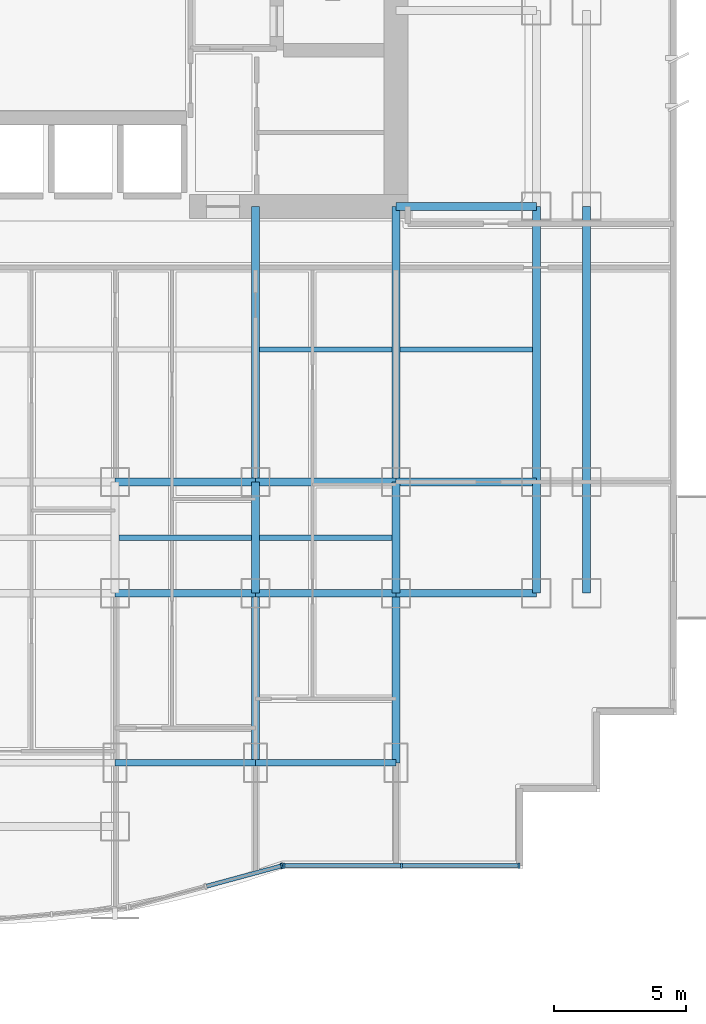
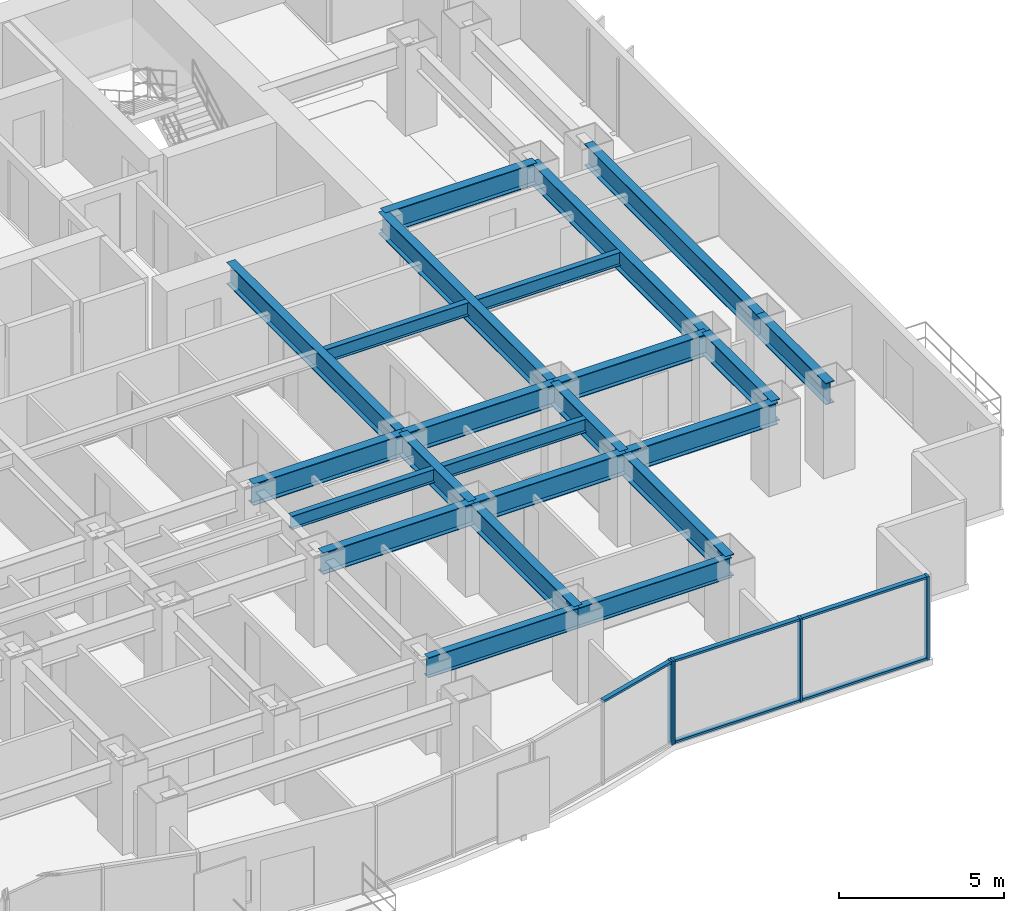
# One storey, part 3 of 10: 23 beams, 9 members, 2 elements without a shape of their own.
"""IFC4 building model written with IfcOpenShell, lengths in metres."""

import ifcopenshell
import ifcopenshell.guid

model = None  # the IFC model being written
_history = None  # IfcOwnerHistory: only IFC2X3 demands one
_inside = {}  # id of a spatial element -> (the spatial element, [elements in it])
_under = {}  # id of a project, library or spatial element -> (it, [spatial elements below it])
_declared = {}  # id of a project -> (the project, [libraries it declares])
_typed = {}  # id of a type object -> (the type object, [elements of that type])
_made_of = {}  # id of a material, layer set ... -> (it, [elements and type objects made of it])


def new_model(schema):
    """Start an empty IFC model of exactly this schema.

    Asked for "IFC4X3", IfcOpenShell would pick the latest addendum, in which some entities
    have other attributes; the version numbers below select the first issue.
    IFC2X3 requires an IfcOwnerHistory on every rooted entity: one is made here for all.
    """
    global model, _history
    if schema == "IFC4X3":
        model = ifcopenshell.file(schema_version=(4, 3, 0, 0))
    else:
        model = ifcopenshell.file(schema=schema)
    _inside.clear()
    _under.clear()
    _declared.clear()
    _typed.clear()
    _made_of.clear()
    _history = None
    if model.schema == "IFC2X3":
        org = make("IfcOrganization", Name="unknown")
        user = make(
            "IfcPersonAndOrganization",
            ThePerson=make("IfcPerson", FamilyName="unknown"),
            TheOrganization=org,
        )
        app = make(
            "IfcApplication",
            ApplicationDeveloper=org,
            Version="unknown",
            ApplicationFullName="unknown",
            ApplicationIdentifier="unknown",
        )
        _history = make(
            "IfcOwnerHistory",
            OwningUser=user,
            OwningApplication=app,
            ChangeAction="ADDED",
            CreationDate=0,
        )
    return model


def make(cls, **values):
    """One entity of the class cls with the attributes given. An attribute that is None is left unset."""
    return model.create_entity(
        cls, **{name: value for name, value in values.items() if value is not None}
    )


def rooted(cls, **values):
    """An entity with a GlobalId (a new one), such as an element, a storey or a relation."""
    return make(cls, GlobalId=ifcopenshell.guid.new(), OwnerHistory=_history, **values)


def si_unit(unit_type, name, prefix=None):
    """IfcSIUnit, for example si_unit("LENGTHUNIT", "METRE", prefix="MILLI")."""
    return make("IfcSIUnit", UnitType=unit_type, Prefix=prefix, Name=name)


def assignment(units):
    """IfcUnitAssignment: the units of a project."""
    return None if units is None else make("IfcUnitAssignment", Units=units)


def point(xyz):
    """IfcCartesianPoint."""
    return None if xyz is None else make("IfcCartesianPoint", Coordinates=xyz)


def direction(xyz):
    """IfcDirection."""
    return None if xyz is None else make("IfcDirection", DirectionRatios=xyz)


def frame(location, z_axis=None, x_axis=None):
    """IfcAxis2Placement3D, a coordinate frame: its origin and axes. An axis left out is left unset."""
    return make(
        "IfcAxis2Placement3D",
        Location=point(location),
        Axis=direction(z_axis),
        RefDirection=direction(x_axis),
    )


def frame_2d(location, x_axis=None):
    """IfcAxis2Placement2D, a coordinate frame in the plane: its origin and x axis."""
    return make(
        "IfcAxis2Placement2D", Location=point(location), RefDirection=direction(x_axis)
    )


def origin():
    """The frame at (0, 0, 0) with its axes left unset."""
    return frame((0.0, 0.0, 0.0))


def origin_2d():
    """The frame at (0, 0) in the plane with its x axis left unset."""
    return frame_2d((0.0, 0.0))


def place(relative_to, where):
    """IfcLocalPlacement: puts the frame where relative to a parent placement (None: the world)."""
    return make(
        "IfcLocalPlacement", PlacementRelTo=relative_to, RelativePlacement=where
    )


def context(
    kind, dimensions, precision=None, world=None, true_north=None, identifier=None
):
    """IfcGeometricRepresentationContext, for example the 3D "Model" context."""
    return make(
        "IfcGeometricRepresentationContext",
        ContextIdentifier=identifier,
        ContextType=kind,
        CoordinateSpaceDimension=dimensions,
        Precision=precision,
        WorldCoordinateSystem=world,
        TrueNorth=true_north,
    )


def subcontext(parent, identifier, kind, view, scale=None):
    """IfcGeometricRepresentationSubContext, for example "Body" below "Model"."""
    return make(
        "IfcGeometricRepresentationSubContext",
        ContextIdentifier=identifier,
        ContextType=kind,
        ParentContext=parent,
        TargetScale=scale,
        TargetView=view,
    )


def project(units=None, contexts=None):
    """IfcProject with its units and contexts."""
    return rooted(
        "IfcProject",
        Name="project",
        RepresentationContexts=contexts,
        UnitsInContext=assignment(units),
    )


def spatial(cls, under=None, at=None, **own):
    """A site, building, storey or space (cls), placed at a placement, below another one or the project."""
    s = rooted(cls, ObjectPlacement=at, **own)
    if under is not None:
        _under.setdefault(under.id(), (under, []))[1].append(s)
    return s


def profile(cls, at=None, kind="AREA", **sizes):
    """A parametric profile (cls). Its sizes go by their IFC names, for example OverallWidth=200.0."""
    return make(cls, ProfileType=kind, Position=at, **sizes)


def rectangle(**sizes):
    """IfcRectangleProfileDef."""
    return profile("IfcRectangleProfileDef", **sizes)


def i_section(**sizes):
    """IfcIShapeProfileDef."""
    return profile("IfcIShapeProfileDef", **sizes)


def extrude(swept, where, along, depth):
    """IfcExtrudedAreaSolid: the profile swept, set in the frame where, extruded along a direction by depth."""
    return make(
        "IfcExtrudedAreaSolid",
        SweptArea=swept,
        Position=where,
        ExtrudedDirection=direction(along),
        Depth=depth,
    )


def shape(context_of_items, identifier, shape_type, items):
    """IfcShapeRepresentation: the items that make up one representation, for example the "Body"."""
    return make(
        "IfcShapeRepresentation",
        ContextOfItems=context_of_items,
        RepresentationIdentifier=identifier,
        RepresentationType=shape_type,
        Items=items,
    )


def source(mapping_origin, context_of_items, identifier, shape_type, items):
    """IfcRepresentationMap: a shape defined once, which mapped items show again and again."""
    return make(
        "IfcRepresentationMap",
        MappingOrigin=mapping_origin,
        MappedRepresentation=shape(context_of_items, identifier, shape_type, items),
    )


def transform(
    local_origin,
    x_axis=None,
    y_axis=None,
    z_axis=None,
    scale=None,
    scale2=None,
    scale3=None,
    uniform=True,
):
    """IfcCartesianTransformationOperator3D, or its non-uniform kind. x_axis, y_axis, z_axis: its Axis1, 2, 3."""
    if uniform:
        return make(
            "IfcCartesianTransformationOperator3D",
            Axis1=direction(x_axis),
            Axis2=direction(y_axis),
            LocalOrigin=point(local_origin),
            Scale=scale,
            Axis3=direction(z_axis),
        )
    return make(
        "IfcCartesianTransformationOperator3DnonUniform",
        Axis1=direction(x_axis),
        Axis2=direction(y_axis),
        LocalOrigin=point(local_origin),
        Scale=scale,
        Axis3=direction(z_axis),
        Scale2=scale2,
        Scale3=scale3,
    )


def mapped(mapping_source, mapping_target):
    """IfcMappedItem: shows the shape of a source again, moved by a transform."""
    return make(
        "IfcMappedItem", MappingSource=mapping_source, MappingTarget=mapping_target
    )


def material(Name=None, Category=None):
    """IfcMaterial."""
    return make("IfcMaterial", Name=Name, Category=Category)


def layer(
    of_material, thickness, ventilated=None, Name=None, Category=None, Priority=None
):
    """IfcMaterialLayer: one layer of a wall or slab, of a material (None: an air gap)."""
    return make(
        "IfcMaterialLayer",
        Material=of_material,
        LayerThickness=thickness,
        IsVentilated=ventilated,
        Name=Name,
        Category=Category,
        Priority=Priority,
    )


def layer_set(layers, Name=None):
    """IfcMaterialLayerSet."""
    return make("IfcMaterialLayerSet", MaterialLayers=layers, LayerSetName=Name)


def material_profile(
    of_material, cross_section, Name=None, Category=None, Priority=None
):
    """IfcMaterialProfile: a cross section and its material."""
    return make(
        "IfcMaterialProfile",
        Name=Name,
        Material=of_material,
        Profile=cross_section,
        Priority=Priority,
        Category=Category,
    )


def profile_set(profiles, Name=None, composite=None):
    """IfcMaterialProfileSet."""
    return make(
        "IfcMaterialProfileSet",
        Name=Name,
        MaterialProfiles=profiles,
        CompositeProfile=composite,
    )


def made_of(thing, what):
    """Note that an element or type object is made of a material, layer set ...; save() writes the relation."""
    if what is not None:
        _made_of.setdefault(what.id(), (what, []))[1].append(thing)
    return thing


def type_object(cls, material=None, **own):
    """A type object (cls), such as IfcWallType, which elements share."""
    return made_of(rooted(cls, **own), material)


def element(
    cls,
    number,
    at=None,
    inside=None,
    cuts=None,
    type_object=None,
    material=None,
    context=None,
    identifier="Body",
    shape_type=None,
    held_by="IfcProductDefinitionShape",
    body=None,
    shapes=None,
    **own,
):
    """One element of the class cls, such as IfcWall. Its Tag is "e" and its number.

    at: its placement. inside: the storey or other place that contains it. cuts: it is an
    opening in that element (IfcRelVoidsElement). A single representation is given by context,
    identifier, shape_type and body (its items); several are given by shapes. held_by: the class
    of the entity that holds the representations. save() writes the other relations.
    """
    e = rooted(cls, Tag="e%d" % number, ObjectPlacement=at, **own)
    if body is not None:
        shapes = [shape(context, identifier, shape_type, body)]
    if shapes is not None:
        e.Representation = make(held_by, Representations=shapes)
    if inside is not None:
        _inside.setdefault(inside.id(), (inside, []))[1].append(e)
    if cuts is not None:
        rooted(
            "IfcRelVoidsElement", RelatingBuildingElement=cuts, RelatedOpeningElement=e
        )
    if type_object is not None:
        _typed.setdefault(type_object.id(), (type_object, []))[1].append(e)
    return made_of(e, material)


def aggregate(whole, parts):
    """IfcRelAggregates: a whole, such as a stair, and the parts it consists of."""
    return rooted("IfcRelAggregates", RelatingObject=whole, RelatedObjects=parts)


def save(model, path):
    """Write the relations noted so far, then the file.

    IfcRelAggregates (storeys below a building ...), IfcRelContainedInSpatialStructure (elements
    in a storey), IfcRelDefinesByType, IfcRelAssociatesMaterial and IfcRelDeclares: one each for
    every whole, place, type object, material and project.
    """
    for whole, parts in _under.values():
        aggregate(whole, parts)
    for where, things in _inside.values():
        rooted(
            "IfcRelContainedInSpatialStructure",
            RelatedElements=things,
            RelatingStructure=where,
        )
    for kind, things in _typed.values():
        rooted("IfcRelDefinesByType", RelatedObjects=things, RelatingType=kind)
    for what, things in _made_of.values():
        rooted("IfcRelAssociatesMaterial", RelatedObjects=things, RelatingMaterial=what)
    for by, libraries in _declared.values():
        rooted("IfcRelDeclares", RelatingContext=by, RelatedDefinitions=libraries)
    model.write(path)


model = new_model("IFC4")

# Units and contexts
model_context = context("Model", 3, precision=1e-05, world=origin(), true_north=direction((0.0, 1.0)))
body_context = subcontext(model_context, "Body", "Model", "MODEL_VIEW")
ifc_project = project(units=[si_unit("LENGTHUNIT", "METRE"), si_unit("AREAUNIT", "SQUARE_METRE"), si_unit("VOLUMEUNIT", "CUBIC_METRE"), si_unit("PLANEANGLEUNIT", "RADIAN"), si_unit("MASSUNIT", "GRAM", prefix="KILO")], contexts=[model_context])

# Site, building, storey
site_placement = place(None, origin())
site = spatial("IfcSite", under=ifc_project, at=site_placement, CompositionType="ELEMENT")
building_placement = place(site_placement, origin())
building = spatial("IfcBuilding", under=site, at=building_placement, Name="Qianlan Lanfeng Residences", CompositionType="ELEMENT")
storey_placement = place(building_placement, frame((0.0, 0.0, 53.89990234375)))
storey = spatial("IfcBuildingStorey", under=building, at=storey_placement, Name="L14", CompositionType="ELEMENT", Elevation=53.89990234375)

# Beams
ifc_material_1 = material(Name="Steel SN490B", Category="steel")
ifc_material_profile_1 = material_profile(ifc_material_1, i_section(OverallWidth=0.300048828125, OverallDepth=0.800048828125, WebThickness=0.01611328125, FlangeThickness=0.028076171875, at=origin_2d()), Name="H 800x300x16x28")
ifc_profile_set_1 = profile_set([ifc_material_profile_1], Name="Steel SN490B")
beam_type_1 = type_object("IfcBeamType", Name="G-950", PredefinedType="BEAM", material=ifc_profile_set_1)
beam_1_placement = place(storey_placement, frame((31.800048828125, 10.60009765625, 2.68017578125), z_axis=(1.0, 0.0, 0.0), x_axis=(0.0, 1.0, 0.0)))
element("IfcBeam", 1, at=beam_1_placement, inside=storey, type_object=beam_type_1, Name="Structural beam G-950", PredefinedType="BEAM", context=body_context, shape_type="SweptSolid", body=[
    extrude(i_section(OverallWidth=0.300048828125, OverallDepth=0.800048828125, WebThickness=0.01611328125, FlangeThickness=0.028076171875, at=origin_2d()), origin(), (0.0, 0.0, 1.0), 5.300048828125),
])
beam_2_placement = place(storey_placement, frame((37.10009765625, 10.60009765625, 2.68017578125), z_axis=(1.0, 0.0, 0.0), x_axis=(0.0, 1.0, 0.0)))
element("IfcBeam", 2, at=beam_2_placement, inside=storey, type_object=beam_type_1, Name="Structural beam G-950", PredefinedType="BEAM", context=body_context, shape_type="SweptSolid", body=[
    extrude(i_section(OverallWidth=0.300048828125, OverallDepth=0.800048828125, WebThickness=0.01611328125, FlangeThickness=0.028076171875, at=origin_2d()), origin(), (0.0, 0.0, 1.0), 5.2998046875),
])
for number, where, z_axis, x_axis, name in (
    (3, (42.39990234375, 10.60009765625, 2.68017578125), (1.0, 0.0, 0.0), (0.0, 1.0, 0.0), "Structural beam G-950"),
    (4, (31.800048828125, 14.800048828125, 2.68017578125), (1.0, 0.0, 0.0), (0.0, 1.0, 0.0), "Structural beam G-950"),
):
    element("IfcBeam", number, at=place(storey_placement, frame(where, z_axis=z_axis, x_axis=x_axis)), inside=storey, type_object=beam_type_1, Name=name, PredefinedType="BEAM", context=body_context, shape_type="SweptSolid", body=[
        extrude(i_section(OverallWidth=0.300048828125, OverallDepth=0.800048828125, WebThickness=0.01611328125, FlangeThickness=0.028076171875, at=origin_2d()), origin(), (0.0, 0.0, 1.0), 5.300048828125),
    ])
beam_3_placement = place(storey_placement, frame((37.10009765625, 14.800048828125, 2.68017578125), z_axis=(1.0, 0.0, 0.0), x_axis=(0.0, 1.0, 0.0)))
element("IfcBeam", 5, at=beam_3_placement, inside=storey, type_object=beam_type_1, Name="Structural beam G-950", PredefinedType="BEAM", context=body_context, shape_type="SweptSolid", body=[
    extrude(i_section(OverallWidth=0.300048828125, OverallDepth=0.800048828125, WebThickness=0.01611328125, FlangeThickness=0.028076171875, at=origin_2d()), origin(), (0.0, 0.0, 1.0), 5.2998046875),
])
for number, where, z_axis, x_axis, name in (
    (6, (42.39990234375, 14.800048828125, 2.68017578125), (1.0, 0.0, 0.0), (0.0, 1.0, 0.0), "Structural beam G-950"),
    (7, (42.39990234375, 25.199951171875, 2.68017578125), (1.0, 0.0, 0.0), (0.0, 1.0, 0.0), "Structural beam G-950"),
):
    element("IfcBeam", number, at=place(storey_placement, frame(where, z_axis=z_axis, x_axis=x_axis)), inside=storey, type_object=beam_type_1, Name=name, PredefinedType="BEAM", context=body_context, shape_type="SweptSolid", body=[
        extrude(i_section(OverallWidth=0.300048828125, OverallDepth=0.800048828125, WebThickness=0.01611328125, FlangeThickness=0.028076171875, at=origin_2d()), origin(), (0.0, 0.0, 1.0), 5.300048828125),
    ])
beam_4_placement = place(storey_placement, frame((37.10009765625, 4.199951171875, 2.68017578125), z_axis=(0.0, 1.0, 0.0), x_axis=(-1.0, 0.0, 0.0)))
element("IfcBeam", 8, at=beam_4_placement, inside=storey, type_object=beam_type_1, Name="Structural beam G-950", PredefinedType="BEAM", context=body_context, shape_type="SweptSolid", body=[
    extrude(i_section(OverallWidth=0.300048828125, OverallDepth=0.800048828125, WebThickness=0.01611328125, FlangeThickness=0.028076171875, at=origin_2d()), origin(), (0.0, 0.0, 1.0), 6.400146484375),
])
beam_5_placement = place(storey_placement, frame((37.10009765625, 10.60009765625, 2.68017578125), z_axis=(0.0, 1.0, 0.0), x_axis=(-1.0, 0.0, 0.0)))
element("IfcBeam", 9, at=beam_5_placement, inside=storey, type_object=beam_type_1, Name="Structural beam G-950", PredefinedType="BEAM", context=body_context, shape_type="SweptSolid", body=[
    extrude(i_section(OverallWidth=0.300048828125, OverallDepth=0.800048828125, WebThickness=0.01611328125, FlangeThickness=0.028076171875, at=origin_2d()), origin(), (0.0, 0.0, 1.0), 4.199951171875),
])
beam_6_placement = place(storey_placement, frame((37.10009765625, 14.800048828125, 2.68017578125), z_axis=(0.0, 1.0, 0.0), x_axis=(-1.0, 0.0, 0.0)))
element("IfcBeam", 10, at=beam_6_placement, inside=storey, type_object=beam_type_1, Name="Structural beam G-950", PredefinedType="BEAM", context=body_context, shape_type="SweptSolid", body=[
    extrude(i_section(OverallWidth=0.300048828125, OverallDepth=0.800048828125, WebThickness=0.01611328125, FlangeThickness=0.028076171875, at=origin_2d()), origin(), (0.0, 0.0, 1.0), 10.39990234375),
])
beam_7_placement = place(storey_placement, frame((42.39990234375, 4.199951171875, 2.68017578125), z_axis=(0.0, 1.0, 0.0), x_axis=(-1.0, 0.0, 0.0)))
element("IfcBeam", 11, at=beam_7_placement, inside=storey, type_object=beam_type_1, Name="Structural beam G-950", PredefinedType="BEAM", context=body_context, shape_type="SweptSolid", body=[
    extrude(i_section(OverallWidth=0.300048828125, OverallDepth=0.800048828125, WebThickness=0.01611328125, FlangeThickness=0.028076171875, at=origin_2d()), origin(), (0.0, 0.0, 1.0), 6.400146484375),
])
beam_8_placement = place(storey_placement, frame((42.39990234375, 10.60009765625, 2.68017578125), z_axis=(0.0, 1.0, 0.0), x_axis=(-1.0, 0.0, 0.0)))
element("IfcBeam", 12, at=beam_8_placement, inside=storey, type_object=beam_type_1, Name="Structural beam G-950", PredefinedType="BEAM", context=body_context, shape_type="SweptSolid", body=[
    extrude(i_section(OverallWidth=0.300048828125, OverallDepth=0.800048828125, WebThickness=0.01611328125, FlangeThickness=0.028076171875, at=origin_2d()), origin(), (0.0, 0.0, 1.0), 4.199951171875),
])
beam_9_placement = place(storey_placement, frame((42.39990234375, 14.800048828125, 2.68017578125), z_axis=(0.0, 1.0, 0.0), x_axis=(-1.0, 0.0, 0.0)))
element("IfcBeam", 13, at=beam_9_placement, inside=storey, type_object=beam_type_1, Name="Structural beam G-950", PredefinedType="BEAM", context=body_context, shape_type="SweptSolid", body=[
    extrude(i_section(OverallWidth=0.300048828125, OverallDepth=0.800048828125, WebThickness=0.01611328125, FlangeThickness=0.028076171875, at=origin_2d()), origin(), (0.0, 0.0, 1.0), 10.39990234375),
])
beam_10_placement = place(storey_placement, frame((47.699951171875, 10.60009765625, 2.68017578125), z_axis=(0.0, 1.0, 0.0), x_axis=(-1.0, 0.0, 0.0)))
element("IfcBeam", 14, at=beam_10_placement, inside=storey, type_object=beam_type_1, Name="Structural beam G-950", PredefinedType="BEAM", context=body_context, shape_type="SweptSolid", body=[
    extrude(i_section(OverallWidth=0.300048828125, OverallDepth=0.800048828125, WebThickness=0.01611328125, FlangeThickness=0.028076171875, at=origin_2d()), origin(), (0.0, 0.0, 1.0), 4.199951171875),
])
beam_11_placement = place(storey_placement, frame((47.699951171875, 14.800048828125, 2.68017578125), z_axis=(0.0, 1.0, 0.0), x_axis=(-1.0, 0.0, 0.0)))
element("IfcBeam", 15, at=beam_11_placement, inside=storey, type_object=beam_type_1, Name="Structural beam G-950", PredefinedType="BEAM", context=body_context, shape_type="SweptSolid", body=[
    extrude(i_section(OverallWidth=0.300048828125, OverallDepth=0.800048828125, WebThickness=0.01611328125, FlangeThickness=0.028076171875, at=origin_2d()), origin(), (0.0, 0.0, 1.0), 10.39990234375),
])
beam_12_placement = place(storey_placement, frame((49.60009765625, 10.60009765625, 2.68017578125), z_axis=(0.0, 1.0, 0.0), x_axis=(-1.0, 0.0, 0.0)))
element("IfcBeam", 16, at=beam_12_placement, inside=storey, type_object=beam_type_1, Name="Structural beam G-950", PredefinedType="BEAM", context=body_context, shape_type="SweptSolid", body=[
    extrude(i_section(OverallWidth=0.300048828125, OverallDepth=0.800048828125, WebThickness=0.01611328125, FlangeThickness=0.028076171875, at=origin_2d()), origin(), (0.0, 0.0, 1.0), 4.199951171875),
])
beam_13_placement = place(storey_placement, frame((49.60009765625, 14.800048828125, 2.68017578125), z_axis=(0.0, 1.0, 0.0), x_axis=(-1.0, 0.0, 0.0)))
element("IfcBeam", 17, at=beam_13_placement, inside=storey, type_object=beam_type_1, Name="Structural beam G-950", PredefinedType="BEAM", context=body_context, shape_type="SweptSolid", body=[
    extrude(i_section(OverallWidth=0.300048828125, OverallDepth=0.800048828125, WebThickness=0.01611328125, FlangeThickness=0.028076171875, at=origin_2d()), origin(), (0.0, 0.0, 1.0), 10.39990234375),
])
ifc_material_profile_2 = material_profile(ifc_material_1, i_section(OverallWidth=0.199951171875, OverallDepth=0.5, WebThickness=0.010009765625, FlangeThickness=0.01611328125, at=origin_2d()), Name="H 500x200x10x16")
ifc_profile_set_2 = profile_set([ifc_material_profile_2], Name="Steel SN490B")
beam_type_2 = type_object("IfcBeamType", Name="J-500", PredefinedType="JOIST", material=ifc_profile_set_2)
for number, where, z_axis, x_axis, name in (
    (18, (31.949951171875, 12.699951171875, 2.830078125), (1.0, 0.0, 0.0), (0.0, 1.0, 0.0), "Structural beam J-500"),
    (19, (37.25, 12.699951171875, 2.830078125), (1.0, 0.0, 0.0), (0.0, 1.0, 0.0), "Structural beam J-500"),
    (20, (37.25, 19.800048828125, 2.830078125), (1.0, 0.0, 0.0), (0.0, 1.0, 0.0), "Structural beam J-500"),
    (21, (42.550048828125, 19.800048828125, 2.830078125), (1.0, 0.0, 0.0), (0.0, 1.0, 0.0), "Structural beam J-500"),
):
    element("IfcBeam", number, at=place(storey_placement, frame(where, z_axis=z_axis, x_axis=x_axis)), inside=storey, type_object=beam_type_2, Name=name, PredefinedType="JOIST", context=body_context, shape_type="SweptSolid", body=[
        extrude(i_section(OverallWidth=0.199951171875, OverallDepth=0.5, WebThickness=0.010009765625, FlangeThickness=0.01611328125, at=origin_2d()), origin(), (0.0, 0.0, 1.0), 5.0),
    ])
ifc_material_profile_3 = material_profile(ifc_material_1, i_section(OverallWidth=0.25, OverallDepth=0.75, WebThickness=0.013916015625, FlangeThickness=0.02490234375, at=origin_2d()), Name="H 750x250x14x25")
ifc_profile_set_3 = profile_set([ifc_material_profile_3], Name="Steel SN490B")
beam_type_3 = type_object("IfcBeamType", Name="SG-850", PredefinedType="SPANDREL", material=ifc_profile_set_3)
beam_14_placement = place(storey_placement, frame((31.800048828125, 4.199951171875, 2.705078125), z_axis=(1.0, 0.0, 0.0), x_axis=(0.0, 1.0, 0.0)))
element("IfcBeam", 22, at=beam_14_placement, inside=storey, type_object=beam_type_3, Name="Structural beam SG-850", PredefinedType="SPANDREL", context=body_context, shape_type="SweptSolid", body=[
    extrude(i_section(OverallWidth=0.25, OverallDepth=0.75, WebThickness=0.013916015625, FlangeThickness=0.02490234375, at=origin_2d()), origin(), (0.0, 0.0, 1.0), 5.300048828125),
])
beam_15_placement = place(storey_placement, frame((37.10009765625, 4.199951171875, 2.705078125), z_axis=(1.0, 0.0, 0.0), x_axis=(0.0, 1.0, 0.0)))
element("IfcBeam", 23, at=beam_15_placement, inside=storey, type_object=beam_type_3, Name="Structural beam SG-850", PredefinedType="SPANDREL", context=body_context, shape_type="SweptSolid", body=[
    extrude(i_section(OverallWidth=0.25, OverallDepth=0.75, WebThickness=0.013916015625, FlangeThickness=0.02490234375, at=origin_2d()), origin(), (0.0, 0.0, 1.0), 5.2998046875),
])

# Curtain wall, member
ifc_material_2 = material(Name="Anodised Bronze Aluminium 6063-T6", Category="aluminium")
ifc_layer = layer(ifc_material_2, 0.219970703125)
ifc_layer_set = layer_set([ifc_layer], Name="Anodised Bronze Aluminium 6063-T6")
curtain_wall_type = type_object("IfcCurtainWallType", Name="CW-02", PredefinedType="NOTDEFINED", material=ifc_layer_set)
curtain_wall_1_placement = place(storey_placement, origin())
curtain_wall_1 = element("IfcCurtainWall", 24, at=curtain_wall_1_placement, inside=storey, type_object=curtain_wall_type, Name="L14 Unitised Curtain Wall CWR-L14-04 (CW-02)", PredefinedType="NOTDEFINED")
ifc_material_profile_4 = material_profile(ifc_material_2, rectangle(XDim=0.080078125, YDim=0.2099609375, at=origin_2d()), Name="ALU MULLION 80x210")
ifc_profile_set_4 = profile_set([ifc_material_profile_4], Name="Anodised Bronze Aluminium 6063-T6")
member_type_1 = type_object("IfcMemberType", Name="CWM-220", PredefinedType="MULLION", material=ifc_profile_set_4)
shared_shape_1 = source(origin(), body_context, "Body", "SweptSolid", [
    extrude(rectangle(XDim=0.080078125, YDim=0.2099609375, at=origin_2d()), origin(), (0.0, 0.0, 1.0), 3.080078125),
])
member_1_placement = place(storey_placement, frame((38.09130859375, 0.3095703125, 0.0), z_axis=(0.0, 0.0, 1.0), x_axis=(0.9652627173, 0.261281240412, 0.0)))
member_1 = element("IfcMember", 25, at=member_1_placement, type_object=member_type_1, Name="CWR-L14-04 Mullion 3", PredefinedType="MULLION", context=body_context, shape_type="MappedRepresentation", body=[
    mapped(shared_shape_1, transform((0.0, 0.0, 0.0), scale=1.0)),
])

# Curtain wall, members
curtain_wall_2_placement = place(storey_placement, origin())
curtain_wall_2 = element("IfcCurtainWall", 26, at=curtain_wall_2_placement, inside=storey, type_object=curtain_wall_type, Name="L14 Unitised Curtain Wall CWR-L14-05 (CW-02)", PredefinedType="NOTDEFINED")
member_2_placement = place(storey_placement, frame((38.169921875, 0.320068359375, 0.0), z_axis=(0.0, 0.0, 1.0), x_axis=(1.0, 0.0, 0.0)))
member_2 = element("IfcMember", 27, at=member_2_placement, type_object=member_type_1, Name="CWR-L14-05 Mullion 1", PredefinedType="MULLION", context=body_context, shape_type="MappedRepresentation", body=[
    mapped(shared_shape_1, transform((0.0, 0.0, 0.0), scale=1.0)),
])
member_3_placement = place(storey_placement, frame((42.60498046875, 0.320068359375, 0.0), z_axis=(0.0, 0.0, 1.0), x_axis=(1.0, 0.0, 0.0)))
member_3 = element("IfcMember", 28, at=member_3_placement, type_object=member_type_1, Name="CWR-L14-05 Mullion 2", PredefinedType="MULLION", context=body_context, shape_type="MappedRepresentation", body=[
    mapped(shared_shape_1, transform((0.0, 0.0, 0.0), scale=1.0)),
])
member_4_placement = place(storey_placement, frame((47.0400390625, 0.320068359375, 0.0), z_axis=(0.0, 0.0, 1.0), x_axis=(1.0, 0.0, 0.0)))
member_4 = element("IfcMember", 29, at=member_4_placement, type_object=member_type_1, Name="CWR-L14-05 Mullion 3", PredefinedType="MULLION", context=body_context, shape_type="MappedRepresentation", body=[
    mapped(shared_shape_1, transform((0.0, 0.0, 0.0), scale=1.0)),
])

# Member
ifc_material_profile_5 = material_profile(ifc_material_2, rectangle(XDim=0.080078125, YDim=0.159912109375, at=origin_2d()), Name="ALU TRANSOM 80x160")
ifc_profile_set_5 = profile_set([ifc_material_profile_5], Name="Anodised Bronze Aluminium 6063-T6")
member_type_2 = type_object("IfcMemberType", Name="CWT-180", PredefinedType="USERDEFINED", material=ifc_profile_set_5)
shared_shape_2 = source(origin(), body_context, "Body", "SweptSolid", [
    extrude(rectangle(XDim=0.080078125, YDim=0.159912109375, at=origin_2d()), origin(), (0.0, 0.0, 1.0), 2.897705078125),
])
member_5_placement = place(storey_placement, frame((35.255615234375, -0.4580078125, 3.0400390625), z_axis=(0.965267548724, 0.261263390817, 0.0), x_axis=(0.0, 0.0, 1.0)))
member_5 = element("IfcMember", 30, at=member_5_placement, type_object=member_type_2, Name="CWR-L14-04 Transom 2-TOP", ObjectType="TRANSOM", PredefinedType="USERDEFINED", context=body_context, shape_type="MappedRepresentation", body=[
    mapped(shared_shape_2, transform((0.0, 0.0, 0.0), scale=1.0)),
])

aggregate(curtain_wall_1, [member_1, member_5])

shared_shape_3 = source(origin(), body_context, "Body", "SweptSolid", [
    extrude(rectangle(XDim=0.080078125, YDim=0.159912109375, at=origin_2d()), origin(), (0.0, 0.0, 1.0), 4.35498046875),
])
member_6_placement = place(storey_placement, frame((38.2099609375, 0.320068359375, 0.0400390625), z_axis=(1.0, 0.0, 0.0), x_axis=(0.0, 0.0, 1.0)))
member_6 = element("IfcMember", 31, at=member_6_placement, type_object=member_type_2, Name="CWR-L14-05 Transom 1-BOT", ObjectType="TRANSOM", PredefinedType="USERDEFINED", context=body_context, shape_type="MappedRepresentation", body=[
    mapped(shared_shape_3, transform((0.0, 0.0, 0.0), scale=1.0)),
])

member_7_placement = place(storey_placement, frame((38.2099609375, 0.320068359375, 3.0400390625), z_axis=(1.0, 0.0, 0.0), x_axis=(0.0, 0.0, 1.0)))
member_7 = element("IfcMember", 32, at=member_7_placement, type_object=member_type_2, Name="CWR-L14-05 Transom 1-TOP", ObjectType="TRANSOM", PredefinedType="USERDEFINED", context=body_context, shape_type="MappedRepresentation", body=[
    mapped(shared_shape_3, transform((0.0, 0.0, 0.0), scale=1.0)),
])

member_8_placement = place(storey_placement, frame((42.64501953125, 0.320068359375, 0.0400390625), z_axis=(1.0, 0.0, 0.0), x_axis=(0.0, 0.0, 1.0)))
member_8 = element("IfcMember", 33, at=member_8_placement, type_object=member_type_2, Name="CWR-L14-05 Transom 2-BOT", ObjectType="TRANSOM", PredefinedType="USERDEFINED", context=body_context, shape_type="MappedRepresentation", body=[
    mapped(shared_shape_3, transform((0.0, 0.0, 0.0), scale=1.0)),
])

member_9_placement = place(storey_placement, frame((42.64501953125, 0.320068359375, 3.0400390625), z_axis=(1.0, 0.0, 0.0), x_axis=(0.0, 0.0, 1.0)))
member_9 = element("IfcMember", 34, at=member_9_placement, type_object=member_type_2, Name="CWR-L14-05 Transom 2-TOP", ObjectType="TRANSOM", PredefinedType="USERDEFINED", context=body_context, shape_type="MappedRepresentation", body=[
    mapped(shared_shape_3, transform((0.0, 0.0, 0.0), scale=1.0)),
])

aggregate(curtain_wall_2, [member_2, member_3, member_4, member_6, member_7, member_8, member_9])

save(model, "model.ifc")
